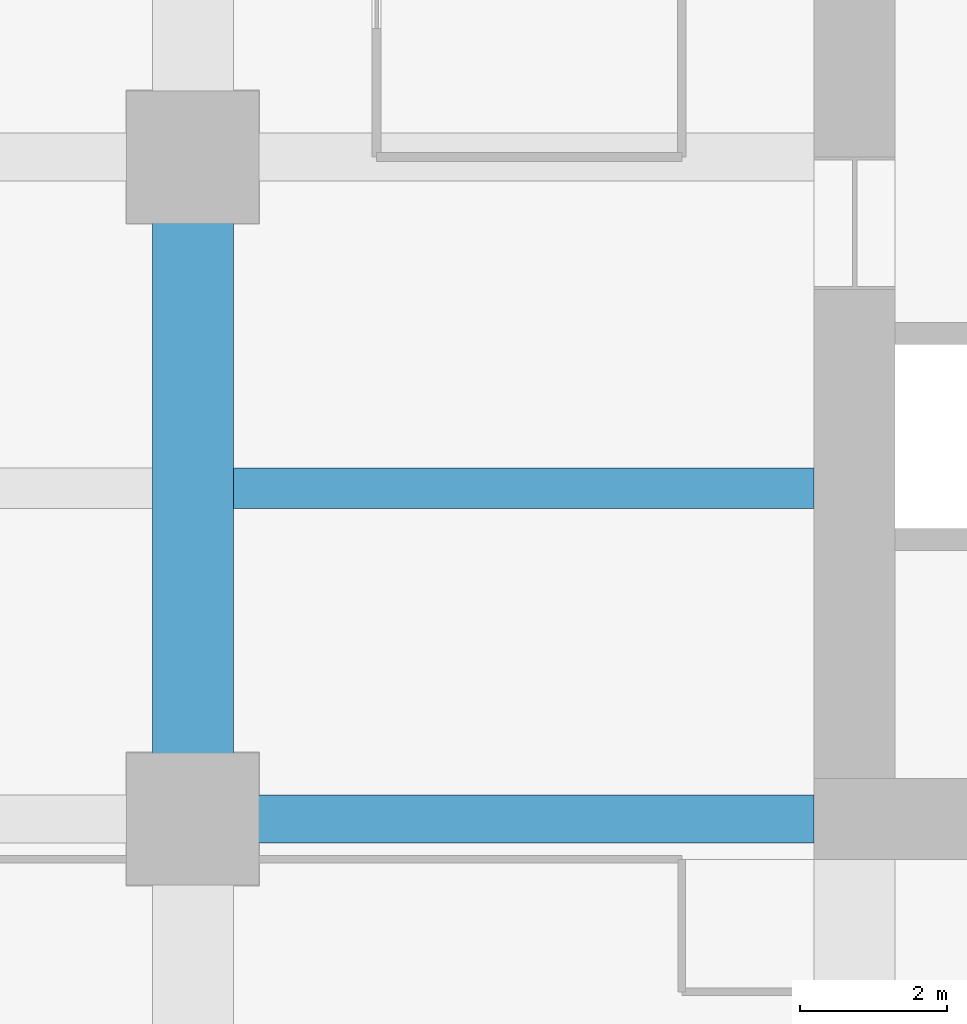
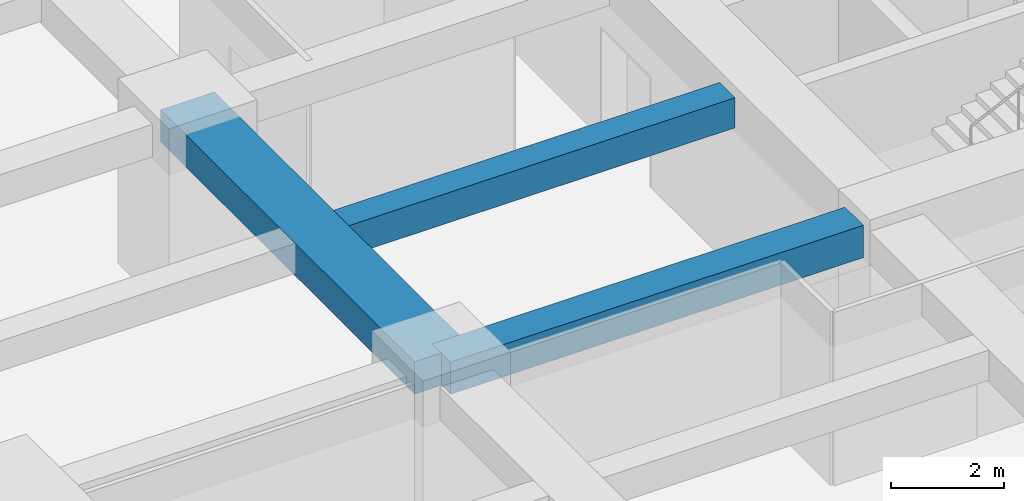
# One storey, part 10 of 39: 3 beams.
"""IFC4 building model written with IfcOpenShell, lengths in metres."""

import ifcopenshell
import ifcopenshell.guid

model = None  # the IFC model being written
_history = None  # IfcOwnerHistory: only IFC2X3 demands one
_inside = {}  # id of a spatial element -> (the spatial element, [elements in it])
_under = {}  # id of a project, library or spatial element -> (it, [spatial elements below it])
_declared = {}  # id of a project -> (the project, [libraries it declares])
_typed = {}  # id of a type object -> (the type object, [elements of that type])
_made_of = {}  # id of a material, layer set ... -> (it, [elements and type objects made of it])


def new_model(schema):
    """Start an empty IFC model of exactly this schema.

    Asked for "IFC4X3", IfcOpenShell would pick the latest addendum, in which some entities
    have other attributes; the version numbers below select the first issue.
    IFC2X3 requires an IfcOwnerHistory on every rooted entity: one is made here for all.
    """
    global model, _history
    if schema == "IFC4X3":
        model = ifcopenshell.file(schema_version=(4, 3, 0, 0))
    else:
        model = ifcopenshell.file(schema=schema)
    _inside.clear()
    _under.clear()
    _declared.clear()
    _typed.clear()
    _made_of.clear()
    _history = None
    if model.schema == "IFC2X3":
        org = make("IfcOrganization", Name="unknown")
        user = make(
            "IfcPersonAndOrganization",
            ThePerson=make("IfcPerson", FamilyName="unknown"),
            TheOrganization=org,
        )
        app = make(
            "IfcApplication",
            ApplicationDeveloper=org,
            Version="unknown",
            ApplicationFullName="unknown",
            ApplicationIdentifier="unknown",
        )
        _history = make(
            "IfcOwnerHistory",
            OwningUser=user,
            OwningApplication=app,
            ChangeAction="ADDED",
            CreationDate=0,
        )
    return model


def make(cls, **values):
    """One entity of the class cls with the attributes given. An attribute that is None is left unset."""
    return model.create_entity(
        cls, **{name: value for name, value in values.items() if value is not None}
    )


def rooted(cls, **values):
    """An entity with a GlobalId (a new one), such as an element, a storey or a relation."""
    return make(cls, GlobalId=ifcopenshell.guid.new(), OwnerHistory=_history, **values)


def si_unit(unit_type, name, prefix=None):
    """IfcSIUnit, for example si_unit("LENGTHUNIT", "METRE", prefix="MILLI")."""
    return make("IfcSIUnit", UnitType=unit_type, Prefix=prefix, Name=name)


def assignment(units):
    """IfcUnitAssignment: the units of a project."""
    return None if units is None else make("IfcUnitAssignment", Units=units)


def point(xyz):
    """IfcCartesianPoint."""
    return None if xyz is None else make("IfcCartesianPoint", Coordinates=xyz)


def direction(xyz):
    """IfcDirection."""
    return None if xyz is None else make("IfcDirection", DirectionRatios=xyz)


def frame(location, z_axis=None, x_axis=None):
    """IfcAxis2Placement3D, a coordinate frame: its origin and axes. An axis left out is left unset."""
    return make(
        "IfcAxis2Placement3D",
        Location=point(location),
        Axis=direction(z_axis),
        RefDirection=direction(x_axis),
    )


def frame_2d(location, x_axis=None):
    """IfcAxis2Placement2D, a coordinate frame in the plane: its origin and x axis."""
    return make(
        "IfcAxis2Placement2D", Location=point(location), RefDirection=direction(x_axis)
    )


def origin():
    """The frame at (0, 0, 0) with its axes left unset."""
    return frame((0.0, 0.0, 0.0))


def origin_2d():
    """The frame at (0, 0) in the plane with its x axis left unset."""
    return frame_2d((0.0, 0.0))


def place(relative_to, where):
    """IfcLocalPlacement: puts the frame where relative to a parent placement (None: the world)."""
    return make(
        "IfcLocalPlacement", PlacementRelTo=relative_to, RelativePlacement=where
    )


def context(
    kind, dimensions, precision=None, world=None, true_north=None, identifier=None
):
    """IfcGeometricRepresentationContext, for example the 3D "Model" context."""
    return make(
        "IfcGeometricRepresentationContext",
        ContextIdentifier=identifier,
        ContextType=kind,
        CoordinateSpaceDimension=dimensions,
        Precision=precision,
        WorldCoordinateSystem=world,
        TrueNorth=true_north,
    )


def subcontext(parent, identifier, kind, view, scale=None):
    """IfcGeometricRepresentationSubContext, for example "Body" below "Model"."""
    return make(
        "IfcGeometricRepresentationSubContext",
        ContextIdentifier=identifier,
        ContextType=kind,
        ParentContext=parent,
        TargetScale=scale,
        TargetView=view,
    )


def project(units=None, contexts=None):
    """IfcProject with its units and contexts."""
    return rooted(
        "IfcProject",
        Name="project",
        RepresentationContexts=contexts,
        UnitsInContext=assignment(units),
    )


def spatial(cls, under=None, at=None, **own):
    """A site, building, storey or space (cls), placed at a placement, below another one or the project."""
    s = rooted(cls, ObjectPlacement=at, **own)
    if under is not None:
        _under.setdefault(under.id(), (under, []))[1].append(s)
    return s


def profile(cls, at=None, kind="AREA", **sizes):
    """A parametric profile (cls). Its sizes go by their IFC names, for example OverallWidth=200.0."""
    return make(cls, ProfileType=kind, Position=at, **sizes)


def rectangle(**sizes):
    """IfcRectangleProfileDef."""
    return profile("IfcRectangleProfileDef", **sizes)


def extrude(swept, where, along, depth):
    """IfcExtrudedAreaSolid: the profile swept, set in the frame where, extruded along a direction by depth."""
    return make(
        "IfcExtrudedAreaSolid",
        SweptArea=swept,
        Position=where,
        ExtrudedDirection=direction(along),
        Depth=depth,
    )


def shape(context_of_items, identifier, shape_type, items):
    """IfcShapeRepresentation: the items that make up one representation, for example the "Body"."""
    return make(
        "IfcShapeRepresentation",
        ContextOfItems=context_of_items,
        RepresentationIdentifier=identifier,
        RepresentationType=shape_type,
        Items=items,
    )


def material(Name=None, Category=None):
    """IfcMaterial."""
    return make("IfcMaterial", Name=Name, Category=Category)


def material_profile(
    of_material, cross_section, Name=None, Category=None, Priority=None
):
    """IfcMaterialProfile: a cross section and its material."""
    return make(
        "IfcMaterialProfile",
        Name=Name,
        Material=of_material,
        Profile=cross_section,
        Priority=Priority,
        Category=Category,
    )


def profile_set(profiles, Name=None, composite=None):
    """IfcMaterialProfileSet."""
    return make(
        "IfcMaterialProfileSet",
        Name=Name,
        MaterialProfiles=profiles,
        CompositeProfile=composite,
    )


def made_of(thing, what):
    """Note that an element or type object is made of a material, layer set ...; save() writes the relation."""
    if what is not None:
        _made_of.setdefault(what.id(), (what, []))[1].append(thing)
    return thing


def type_object(cls, material=None, **own):
    """A type object (cls), such as IfcWallType, which elements share."""
    return made_of(rooted(cls, **own), material)


def element(
    cls,
    number,
    at=None,
    inside=None,
    cuts=None,
    type_object=None,
    material=None,
    context=None,
    identifier="Body",
    shape_type=None,
    held_by="IfcProductDefinitionShape",
    body=None,
    shapes=None,
    **own,
):
    """One element of the class cls, such as IfcWall. Its Tag is "e" and its number.

    at: its placement. inside: the storey or other place that contains it. cuts: it is an
    opening in that element (IfcRelVoidsElement). A single representation is given by context,
    identifier, shape_type and body (its items); several are given by shapes. held_by: the class
    of the entity that holds the representations. save() writes the other relations.
    """
    e = rooted(cls, Tag="e%d" % number, ObjectPlacement=at, **own)
    if body is not None:
        shapes = [shape(context, identifier, shape_type, body)]
    if shapes is not None:
        e.Representation = make(held_by, Representations=shapes)
    if inside is not None:
        _inside.setdefault(inside.id(), (inside, []))[1].append(e)
    if cuts is not None:
        rooted(
            "IfcRelVoidsElement", RelatingBuildingElement=cuts, RelatedOpeningElement=e
        )
    if type_object is not None:
        _typed.setdefault(type_object.id(), (type_object, []))[1].append(e)
    return made_of(e, material)


def aggregate(whole, parts):
    """IfcRelAggregates: a whole, such as a stair, and the parts it consists of."""
    return rooted("IfcRelAggregates", RelatingObject=whole, RelatedObjects=parts)


def save(model, path):
    """Write the relations noted so far, then the file.

    IfcRelAggregates (storeys below a building ...), IfcRelContainedInSpatialStructure (elements
    in a storey), IfcRelDefinesByType, IfcRelAssociatesMaterial and IfcRelDeclares: one each for
    every whole, place, type object, material and project.
    """
    for whole, parts in _under.values():
        aggregate(whole, parts)
    for where, things in _inside.values():
        rooted(
            "IfcRelContainedInSpatialStructure",
            RelatedElements=things,
            RelatingStructure=where,
        )
    for kind, things in _typed.values():
        rooted("IfcRelDefinesByType", RelatedObjects=things, RelatingType=kind)
    for what, things in _made_of.values():
        rooted("IfcRelAssociatesMaterial", RelatedObjects=things, RelatingMaterial=what)
    for by, libraries in _declared.values():
        rooted("IfcRelDeclares", RelatingContext=by, RelatedDefinitions=libraries)
    model.write(path)


model = new_model("IFC4")

# Units and contexts
model_context = context("Model", 3, precision=1e-05, world=origin(), true_north=direction((0.0, 1.0)))
body_context = subcontext(model_context, "Body", "Model", "MODEL_VIEW")
ifc_project = project(units=[si_unit("LENGTHUNIT", "METRE"), si_unit("AREAUNIT", "SQUARE_METRE"), si_unit("VOLUMEUNIT", "CUBIC_METRE"), si_unit("PLANEANGLEUNIT", "RADIAN"), si_unit("MASSUNIT", "GRAM", prefix="KILO")], contexts=[model_context])

# Site, building, storey
site_placement = place(None, origin())
site = spatial("IfcSite", under=ifc_project, at=site_placement, CompositionType="ELEMENT")
building_placement = place(site_placement, origin())
building = spatial("IfcBuilding", under=site, at=building_placement, Name="Zorevar Civic Tower", CompositionType="ELEMENT")
storey_placement = place(building_placement, frame((0.0, 0.0, 125.0)))
storey = spatial("IfcBuildingStorey", under=building, at=storey_placement, Name="L30", CompositionType="ELEMENT", Elevation=125.0)

# Beams
ifc_material_1 = material(Name="Concrete C50/60", Category="concrete")
ifc_material_profile_1 = material_profile(ifc_material_1, rectangle(XDim=1.10009765625, YDim=0.699951171875, at=origin_2d()), Name="RC 1100x700")
ifc_profile_set_1 = profile_set([ifc_material_profile_1], Name="Concrete C50/60")
beam_type_1 = type_object("IfcBeamType", Name="Beam RC 1100x700", PredefinedType="BEAM", material=ifc_profile_set_1)
beam_1_placement = place(storey_placement, frame((9.0, 18.0, 3.39990234375), z_axis=(0.0, 1.0, 0.0), x_axis=(-1.0, 0.0, 0.0)))
element("IfcBeam", 1, at=beam_1_placement, inside=storey, type_object=beam_type_1, Name="Girder L31", PredefinedType="BEAM", context=body_context, shape_type="SweptSolid", body=[
    extrude(rectangle(XDim=1.10009765625, YDim=0.699951171875, at=origin_2d()), origin(), (0.0, 0.0, 1.0), 9.0),
])
ifc_material_2 = material(Name="Concrete C50/60", Category="concrete")
ifc_material_profile_2 = material_profile(ifc_material_2, rectangle(XDim=0.550048828125, YDim=0.64990234375, at=origin_2d()), Name="RC 550x650")
ifc_profile_set_2 = profile_set([ifc_material_profile_2], Name="Concrete C50/60")
beam_type_2 = type_object("IfcBeamType", Name="Beam RC 550x650", PredefinedType="BEAM", material=ifc_profile_set_2)
beam_2_placement = place(storey_placement, frame((9.550048828125, 22.5, 3.425048828125), z_axis=(1.0, 0.0, 0.0), x_axis=(0.0, 1.0, 0.0)))
element("IfcBeam", 2, at=beam_2_placement, inside=storey, type_object=beam_type_2, Name="Secondary beam L31", PredefinedType="BEAM", context=body_context, shape_type="SweptSolid", body=[
    extrude(rectangle(XDim=0.550048828125, YDim=0.64990234375, at=origin_2d()), origin(), (0.0, 0.0, 1.0), 7.89990234375),
])
ifc_material_3 = material(Name="Concrete C50/60", Category="concrete")
ifc_material_profile_3 = material_profile(ifc_material_3, rectangle(XDim=0.64990234375, YDim=0.699951171875, at=origin_2d()), Name="RC 650x700")
ifc_profile_set_3 = profile_set([ifc_material_profile_3], Name="Concrete C50/60")
beam_type_3 = type_object("IfcBeamType", Name="Beam RC 650x700", PredefinedType="BEAM", material=ifc_profile_set_3)
beam_3_placement = place(storey_placement, frame((9.0, 18.0, 3.39990234375), z_axis=(1.0, 0.0, 0.0), x_axis=(0.0, 1.0, 0.0)))
element("IfcBeam", 3, at=beam_3_placement, inside=storey, type_object=beam_type_3, Name="Girder L31", PredefinedType="BEAM", context=body_context, shape_type="SweptSolid", body=[
    extrude(rectangle(XDim=0.64990234375, YDim=0.699951171875, at=origin_2d()), origin(), (0.0, 0.0, 1.0), 8.449951171875),
])

save(model, "model.ifc")
